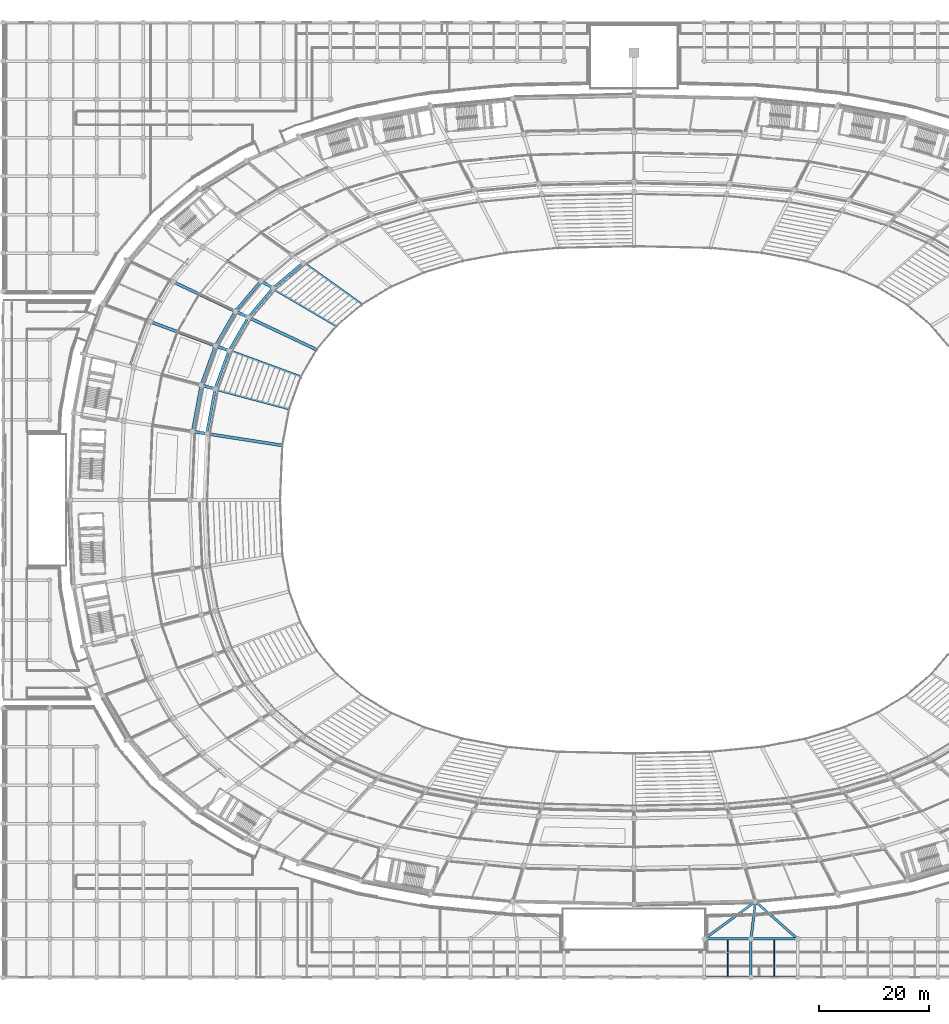
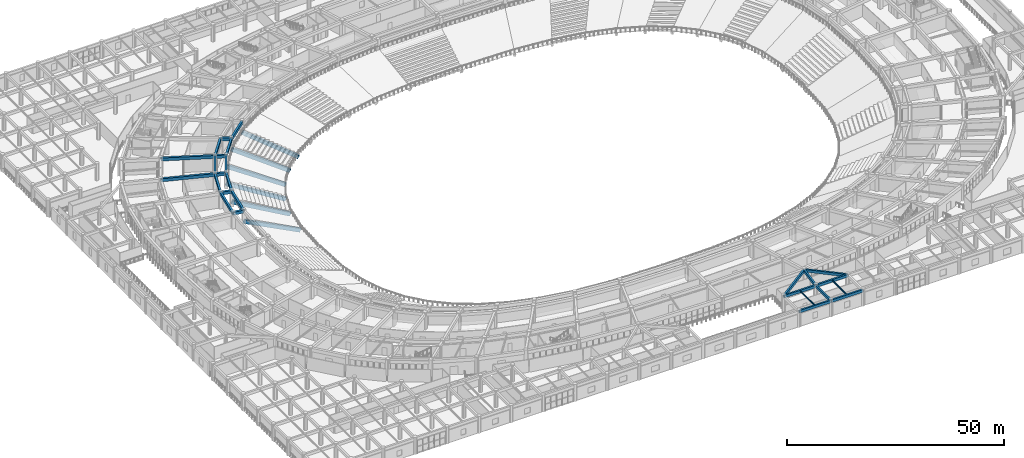
# One storey, part 33 of 152: 32 beams.
"""IFC4 building model written with IfcOpenShell, lengths in metres."""

from ifc_helpers import new_model, si_unit, direction, frame, origin, origin_2d, place, context, subcontext, project, spatial, rectangle, i_section, extrude, material, material_profile, profile_set, type_object, element, save


model = new_model("IFC4")

# Units and contexts
model_context = context("Model", 3, precision=1e-05, world=origin(), true_north=direction((0.0, 1.0)))
body_context = subcontext(model_context, "Body", "Model", "MODEL_VIEW")
ifc_project = project(units=[si_unit("LENGTHUNIT", "METRE"), si_unit("AREAUNIT", "SQUARE_METRE"), si_unit("VOLUMEUNIT", "CUBIC_METRE"), si_unit("PLANEANGLEUNIT", "RADIAN"), si_unit("MASSUNIT", "GRAM", prefix="KILO")], contexts=[model_context])

# Site, building, storey
site_placement = place(None, origin())
site = spatial("IfcSite", under=ifc_project, at=site_placement, CompositionType="ELEMENT")
building_placement = place(site_placement, origin())
building = spatial("IfcBuilding", under=site, at=building_placement, Name="Mphavela Belvedere Stadium", CompositionType="ELEMENT")
storey_placement = place(building_placement, frame((0.0, 0.0, 5.39990234375)))
storey = spatial("IfcBuildingStorey", under=building, at=storey_placement, Name="L01", CompositionType="ELEMENT", Elevation=5.39990234375)

# Beams
ifc_material_1 = material(Name="Steel S355", Category="steel")
ifc_material_profile_1 = material_profile(ifc_material_1, i_section(OverallWidth=0.169921875, OverallDepth=0.360107421875, WebThickness=0.008056640625, FlangeThickness=0.0126953125, at=origin_2d()), Name="IPE 360")
ifc_profile_set_1 = profile_set([ifc_material_profile_1], Name="Steel S355")
beam_type_1 = type_object("IfcBeamType", Name="BM-JOIST-IPE360", PredefinedType="JOIST", material=ifc_profile_set_1)
for number, where, z_axis, x_axis, name in (
    (1, (132.037109375, 0.22509765625, 4.360107421875), (0.0, 1.0, 0.0), (-1.0, 0.0, 0.0), "South Axial Triumphal Peristyle Portico secondary joist L01 16-1"),
    (2, (140.555419921875, 0.22509765625, 4.360107421875), (0.0, 1.0, 0.0), (-1.0, 0.0, 0.0), "South Axial Triumphal Peristyle Portico secondary joist L01 17-1"),
):
    element("IfcBeam", number, at=place(storey_placement, frame(where, z_axis=z_axis, x_axis=x_axis)), inside=storey, type_object=beam_type_1, Name=name, PredefinedType="JOIST", context=body_context, shape_type="SweptSolid", body=[
        extrude(i_section(OverallWidth=0.169921875, OverallDepth=0.360107421875, WebThickness=0.008056640625, FlangeThickness=0.0126953125, at=origin_2d()), origin(), (0.0, 0.0, 1.0), 6.5498046875),
    ])
ifc_material_2 = material(Name="Precast concrete C45/55", Category="concrete")
ifc_material_profile_2 = material_profile(ifc_material_2, rectangle(XDim=0.550048828125, YDim=1.0, at=origin_2d()), Name="PC 550x1000")
ifc_profile_set_2 = profile_set([ifc_material_profile_2], Name="Precast concrete C45/55")
beam_type_2 = type_object("IfcBeamType", Name="BM-RAKER-LOWER", PredefinedType="USERDEFINED", material=ifc_profile_set_2)
beam_1_placement = place(storey_placement, frame((65.341064453125, 122.580322265625, -4.75), z_axis=(-0.739407193346, 0.529785363915, 0.415456941944), x_axis=(-0.582429509779, -0.812881212809, 0.0)))
element("IfcBeam", 3, at=beam_1_placement, inside=storey, type_object=beam_type_2, Name="Lower tier precast raker beam RK-L-19", ObjectType="RAKER BEAM", PredefinedType="USERDEFINED", context=body_context, shape_type="SweptSolid", body=[
    extrude(rectangle(XDim=0.550048828125, YDim=1.0, at=origin_2d()), origin(), (0.0, 0.0, 1.0), 14.44189453125),
])
beam_2_placement = place(storey_placement, frame((60.8349609375, 118.77783203125, -4.75), z_axis=(-0.788215016964, 0.462441064912, 0.406036141882), x_axis=(-0.506032185793, -0.862514595205, 0.0)))
element("IfcBeam", 4, at=beam_2_placement, inside=storey, type_object=beam_type_2, Name="Lower tier precast raker beam RK-L-20", ObjectType="RAKER BEAM", PredefinedType="USERDEFINED", context=body_context, shape_type="SweptSolid", body=[
    extrude(rectangle(XDim=0.550048828125, YDim=1.0, at=origin_2d()), origin(), (0.0, 0.0, 1.0), 14.777099609375),
])
beam_3_placement = place(storey_placement, frame((57.130859375, 114.391357421875, -4.75), z_axis=(-0.828590512448, 0.392202760512, 0.399518156443), x_axis=(-0.427830199745, -0.903859126295, 0.0)))
element("IfcBeam", 5, at=beam_3_placement, inside=storey, type_object=beam_type_2, Name="Lower tier precast raker beam RK-L-21", ObjectType="RAKER BEAM", PredefinedType="USERDEFINED", context=body_context, shape_type="SweptSolid", body=[
    extrude(rectangle(XDim=0.550048828125, YDim=1.0, at=origin_2d()), origin(), (0.0, 0.0, 1.0), 15.01806640625),
])
beam_4_placement = place(storey_placement, frame((54.236572265625, 109.385498046875, -4.75), z_axis=(-0.861755277164, 0.317474379668, 0.395711840276), x_axis=(-0.345691546471, -0.938348205464, 0.0)))
element("IfcBeam", 6, at=beam_4_placement, inside=storey, type_object=beam_type_2, Name="Lower tier precast raker beam RK-L-22", ObjectType="RAKER BEAM", PredefinedType="USERDEFINED", context=body_context, shape_type="SweptSolid", body=[
    extrude(rectangle(XDim=0.550048828125, YDim=1.0, at=origin_2d()), origin(), (0.0, 0.0, 1.0), 15.16259765625),
])
beam_5_placement = place(storey_placement, frame((52.160888671875, 103.664306640625, -4.75), z_axis=(-0.888238697021, 0.235540206623, 0.394401861277), x_axis=(-0.256317824851, -0.966592557732, 0.0)))
element("IfcBeam", 7, at=beam_5_placement, inside=storey, type_object=beam_type_2, Name="Lower tier precast raker beam RK-L-23", ObjectType="RAKER BEAM", PredefinedType="USERDEFINED", context=body_context, shape_type="SweptSolid", body=[
    extrude(rectangle(XDim=0.550048828125, YDim=1.0, at=origin_2d()), origin(), (0.0, 0.0, 1.0), 15.212890625),
])
beam_6_placement = place(storey_placement, frame((50.911865234375, 96.9404296875, -4.75), z_axis=(-0.907737180871, 0.140804754034, 0.395205303236), x_axis=(-0.153283098913, -0.988182316978, 0.0)))
element("IfcBeam", 8, at=beam_6_placement, inside=storey, type_object=beam_type_2, Name="Lower tier precast raker beam RK-L-24", ObjectType="RAKER BEAM", PredefinedType="USERDEFINED", context=body_context, shape_type="SweptSolid", body=[
    extrude(rectangle(XDim=0.550048828125, YDim=1.0, at=origin_2d()), origin(), (0.0, 0.0, 1.0), 15.181884765625),
])
ifc_material_3 = material(Name="Concrete C40/50", Category="concrete")
ifc_material_profile_3 = material_profile(ifc_material_3, rectangle(XDim=0.449951171875, YDim=0.75, at=origin_2d()), Name="RC 450x750")
ifc_profile_set_3 = profile_set([ifc_material_profile_3], Name="Concrete C40/50")
beam_type_3 = type_object("IfcBeamType", Name="BM-RC450x750", PredefinedType="BEAM", material=ifc_profile_set_3)
for number, where, z_axis, x_axis, name in (
    (9, (127.778076171875, 0.0, 4.1650390625), (1.0, 0.0, 0.0), (0.0, 1.0, 0.0), "South Axial Triumphal Peristyle Portico entablature beam X L01 16-1"),
    (10, (127.778076171875, 7.0, 4.1650390625), (1.0, 0.0, 0.0), (0.0, 1.0, 0.0), "South Axial Triumphal Peristyle Portico entablature beam X L01 16-2"),
):
    element("IfcBeam", number, at=place(storey_placement, frame(where, z_axis=z_axis, x_axis=x_axis)), inside=storey, type_object=beam_type_3, Name=name, PredefinedType="BEAM", context=body_context, shape_type="SweptSolid", body=[
        extrude(rectangle(XDim=0.449951171875, YDim=0.75, at=origin_2d()), origin(), (0.0, 0.0, 1.0), 8.517822265625),
    ])
beam_7_placement = place(storey_placement, frame((136.2958984375, 0.0, 4.1650390625), z_axis=(1.0, 0.0, 0.0), x_axis=(0.0, 1.0, 0.0)))
element("IfcBeam", 11, at=beam_7_placement, inside=storey, type_object=beam_type_3, Name="South Axial Triumphal Peristyle Portico entablature beam X L01 17-1", PredefinedType="BEAM", context=body_context, shape_type="SweptSolid", body=[
    extrude(rectangle(XDim=0.449951171875, YDim=0.75, at=origin_2d()), origin(), (0.0, 0.0, 1.0), 8.51904296875),
])
beam_8_placement = place(storey_placement, frame((136.2958984375, 0.0, 4.1650390625), z_axis=(0.0, 1.0, 0.0), x_axis=(-1.0, 0.0, 0.0)))
element("IfcBeam", 12, at=beam_8_placement, inside=storey, type_object=beam_type_3, Name="South Axial Triumphal Peristyle Portico entablature beam Y L01 17-1", PredefinedType="BEAM", context=body_context, shape_type="SweptSolid", body=[
    extrude(rectangle(XDim=0.449951171875, YDim=0.75, at=origin_2d()), origin(), (0.0, 0.0, 1.0), 7.0),
])
beam_9_placement = place(storey_placement, frame((136.2958984375, 7.0, 4.1650390625), z_axis=(1.0, 0.0, 0.0), x_axis=(0.0, 1.0, 0.0)))
element("IfcBeam", 13, at=beam_9_placement, inside=storey, type_object=beam_type_3, Name="South Axial Triumphal Peristyle Portico entablature beam X L01 17-2", PredefinedType="BEAM", context=body_context, shape_type="SweptSolid", body=[
    extrude(rectangle(XDim=0.449951171875, YDim=0.75, at=origin_2d()), origin(), (0.0, 0.0, 1.0), 8.51904296875),
])
beam_10_placement = place(storey_placement, frame((127.778076171875, 7.0, 4.1650390625), z_axis=(0.808075844415, 0.589078457994, 0.0), x_axis=(-0.589078457994, 0.808075844415, 0.0)))
element("IfcBeam", 14, at=beam_10_placement, inside=storey, type_object=beam_type_3, Name="South Axial Triumphal Peristyle Portico bowl link girder L01-2", PredefinedType="BEAM", context=body_context, shape_type="SweptSolid", body=[
    extrude(rectangle(XDim=0.449951171875, YDim=0.75, at=origin_2d()), origin(), (0.0, 0.0, 1.0), 11.553955078125),
])
beam_11_placement = place(storey_placement, frame((136.2958984375, 7.0, 4.1650390625), z_axis=(0.119413444072, 0.99284461492, 0.0), x_axis=(-0.99284461492, 0.119413444072, 0.0)))
element("IfcBeam", 15, at=beam_11_placement, inside=storey, type_object=beam_type_3, Name="South Axial Triumphal Peristyle Portico bowl link girder L01-4", PredefinedType="BEAM", context=body_context, shape_type="SweptSolid", body=[
    extrude(rectangle(XDim=0.449951171875, YDim=0.75, at=origin_2d()), origin(), (0.0, 0.0, 1.0), 6.855224609375),
])
beam_12_placement = place(storey_placement, frame((144.81494140625, 7.0, 4.1650390625), z_axis=(-0.749275353375, 0.662258593621, 0.0), x_axis=(-0.662258593621, -0.749275353375, 0.0)))
element("IfcBeam", 16, at=beam_12_placement, inside=storey, type_object=beam_type_3, Name="South Axial Triumphal Peristyle Portico bowl link girder L01-6", PredefinedType="BEAM", context=body_context, shape_type="SweptSolid", body=[
    extrude(rectangle(XDim=0.449951171875, YDim=0.75, at=origin_2d()), origin(), (0.0, 0.0, 1.0), 10.277099609375),
])
ifc_material_4 = material(Name="Concrete C40/50", Category="concrete")
ifc_material_profile_4 = material_profile(ifc_material_4, rectangle(XDim=0.5, YDim=0.800048828125, at=origin_2d()), Name="RC 500x800")
ifc_profile_set_4 = profile_set([ifc_material_profile_4], Name="Concrete C40/50")
beam_type_4 = type_object("IfcBeamType", Name="BM-RC500x800", PredefinedType="BEAM", material=ifc_profile_set_4)
beam_13_placement = place(storey_placement, frame((54.66259765625, 130.2314453125, 4.150146484375), z_axis=(-0.76425683958, -0.644911996442, 0.0), x_axis=(0.644911996442, -0.76425683958, 0.0)))
element("IfcBeam", 17, at=beam_13_placement, inside=storey, type_object=beam_type_4, Name="Circumferential girder L01 R1-19", PredefinedType="BEAM", context=body_context, shape_type="SweptSolid", body=[
    extrude(rectangle(XDim=0.5, YDim=0.800048828125, at=origin_2d()), origin(), (0.0, 0.0, 1.0), 7.1640625),
])
beam_14_placement = place(storey_placement, frame((49.1875, 125.611328125, 4.150146484375), z_axis=(-0.645159025586, -0.764048317651, 0.0), x_axis=(0.764048317651, -0.645159025586, 0.0)))
element("IfcBeam", 18, at=beam_14_placement, inside=storey, type_object=beam_type_4, Name="Circumferential girder L01 R1-20", PredefinedType="BEAM", context=body_context, shape_type="SweptSolid", body=[
    extrude(rectangle(XDim=0.5, YDim=0.800048828125, at=origin_2d()), origin(), (0.0, 0.0, 1.0), 6.975830078125),
])
beam_15_placement = place(storey_placement, frame((46.98828125, 126.901611328125, 4.150146484375), z_axis=(-0.645167637984, -0.764041045297, 0.0), x_axis=(0.764041045297, -0.645167637984, 0.0)))
element("IfcBeam", 19, at=beam_15_placement, inside=storey, type_object=beam_type_4, Name="Circumferential girder L01 R2-20", PredefinedType="BEAM", context=body_context, shape_type="SweptSolid", body=[
    extrude(rectangle(XDim=0.5, YDim=0.800048828125, at=origin_2d()), origin(), (0.0, 0.0, 1.0), 7.208740234375),
])
beam_16_placement = place(storey_placement, frame((44.68701171875, 120.281494140625, 4.150146484375), z_axis=(-0.500559513075, -0.86570212768, 0.0), x_axis=(0.86570212768, -0.500559513075, 0.0)))
element("IfcBeam", 20, at=beam_16_placement, inside=storey, type_object=beam_type_4, Name="Circumferential girder L01 R1-21", PredefinedType="BEAM", context=body_context, shape_type="SweptSolid", body=[
    extrude(rectangle(XDim=0.5, YDim=0.800048828125, at=origin_2d()), origin(), (0.0, 0.0, 1.0), 7.02587890625),
])
beam_17_placement = place(storey_placement, frame((42.33740234375, 121.393798828125, 4.150146484375), z_axis=(-0.500568314135, -0.86569703874, 0.0), x_axis=(0.86569703874, -0.500568314135, 0.0)))
element("IfcBeam", 21, at=beam_17_placement, inside=storey, type_object=beam_type_4, Name="Circumferential girder L01 R2-21", PredefinedType="BEAM", context=body_context, shape_type="SweptSolid", body=[
    extrude(rectangle(XDim=0.5, YDim=0.800048828125, at=origin_2d()), origin(), (0.0, 0.0, 1.0), 7.2607421875),
])
beam_18_placement = place(storey_placement, frame((41.170166015625, 114.19921875, 4.150146484375), z_axis=(-0.341037858277, -0.940049562109, 0.0), x_axis=(0.940049562109, -0.341037858277, 0.0)))
element("IfcBeam", 22, at=beam_18_placement, inside=storey, type_object=beam_type_4, Name="Circumferential girder L01 R1-22", PredefinedType="BEAM", context=body_context, shape_type="SweptSolid", body=[
    extrude(rectangle(XDim=0.5, YDim=0.800048828125, at=origin_2d()), origin(), (0.0, 0.0, 1.0), 7.39501953125),
])
beam_19_placement = place(storey_placement, frame((38.702880859375, 115.108154296875, 4.150146484375), z_axis=(-0.341037560831, -0.940049670019, 0.0), x_axis=(0.940049670019, -0.341037560831, 0.0)))
element("IfcBeam", 23, at=beam_19_placement, inside=storey, type_object=beam_type_4, Name="Circumferential girder L01 R2-22", PredefinedType="BEAM", context=body_context, shape_type="SweptSolid", body=[
    extrude(rectangle(XDim=0.5, YDim=0.800048828125, at=origin_2d()), origin(), (0.0, 0.0, 1.0), 7.64208984375),
])
beam_20_placement = place(storey_placement, frame((38.648193359375, 107.24755859375, 4.150146484375), z_axis=(-0.182638448973, -0.983180144712, 0.0), x_axis=(0.983180144712, -0.182638448973, 0.0)))
element("IfcBeam", 24, at=beam_20_placement, inside=storey, type_object=beam_type_4, Name="Circumferential girder L01 R1-23", PredefinedType="BEAM", context=body_context, shape_type="SweptSolid", body=[
    extrude(rectangle(XDim=0.5, YDim=0.800048828125, at=origin_2d()), origin(), (0.0, 0.0, 1.0), 8.30908203125),
])
beam_21_placement = place(storey_placement, frame((36.0966796875, 107.92431640625, 4.150146484375), z_axis=(-0.182614573179, -0.983184579651, 0.0), x_axis=(0.983184579651, -0.182614573179, 0.0)))
element("IfcBeam", 25, at=beam_21_placement, inside=storey, type_object=beam_type_4, Name="Circumferential girder L01 R2-23", PredefinedType="BEAM", context=body_context, shape_type="SweptSolid", body=[
    extrude(rectangle(XDim=0.5, YDim=0.800048828125, at=origin_2d()), origin(), (0.0, 0.0, 1.0), 8.5869140625),
])
ifc_material_5 = material(Name="Concrete C40/50", Category="concrete")
ifc_material_profile_5 = material_profile(ifc_material_5, rectangle(XDim=0.550048828125, YDim=0.85009765625, at=origin_2d()), Name="RC 550x850")
ifc_profile_set_5 = profile_set([ifc_material_profile_5], Name="Concrete C40/50")
beam_type_5 = type_object("IfcBeamType", Name="BM-RC550x850", PredefinedType="BEAM", material=ifc_profile_set_5)
beam_22_placement = place(storey_placement, frame((49.1875, 125.611328125, 4.125), z_axis=(-0.862512089915, 0.50603645595, 0.0), x_axis=(-0.50603645595, -0.862512089915, 0.0)))
element("IfcBeam", 26, at=beam_22_placement, inside=storey, type_object=beam_type_5, Name="Radial concourse girder L01 R1R2-20", PredefinedType="BEAM", context=body_context, shape_type="SweptSolid", body=[
    extrude(rectangle(XDim=0.550048828125, YDim=0.85009765625, at=origin_2d()), origin(), (0.0, 0.0, 1.0), 2.5498046875),
])
beam_23_placement = place(storey_placement, frame((44.68701171875, 120.281494140625, 4.125), z_axis=(-0.903837253846, 0.427876405707, 0.0), x_axis=(-0.427876405707, -0.903837253846, 0.0)))
element("IfcBeam", 27, at=beam_23_placement, inside=storey, type_object=beam_type_5, Name="Radial concourse girder L01 R1R2-21", PredefinedType="BEAM", context=body_context, shape_type="SweptSolid", body=[
    extrude(rectangle(XDim=0.550048828125, YDim=0.85009765625, at=origin_2d()), origin(), (0.0, 0.0, 1.0), 2.599609375),
])
beam_24_placement = place(storey_placement, frame((42.33740234375, 121.393798828125, 4.125), z_axis=(-0.903870454162, 0.427806267009, 0.0), x_axis=(-0.427806267009, -0.903870454162, 0.0)))
element("IfcBeam", 28, at=beam_24_placement, inside=storey, type_object=beam_type_5, Name="Radial concourse girder L01 R2R3-21", PredefinedType="BEAM", context=body_context, shape_type="SweptSolid", body=[
    extrude(rectangle(XDim=0.550048828125, YDim=0.85009765625, at=origin_2d()), origin(), (0.0, 0.0, 1.0), 12.51611328125),
])
beam_25_placement = place(storey_placement, frame((41.170166015625, 114.19921875, 4.125), z_axis=(-0.938351042866, 0.345683844507, 0.0), x_axis=(-0.345683844507, -0.938351042866, 0.0)))
element("IfcBeam", 29, at=beam_25_placement, inside=storey, type_object=beam_type_5, Name="Radial concourse girder L01 R1R2-22", PredefinedType="BEAM", context=body_context, shape_type="SweptSolid", body=[
    extrude(rectangle(XDim=0.550048828125, YDim=0.85009765625, at=origin_2d()), origin(), (0.0, 0.0, 1.0), 2.62939453125),
])
beam_26_placement = place(storey_placement, frame((38.702880859375, 115.108154296875, 4.125), z_axis=(-0.938344104636, 0.345702677593, 0.0), x_axis=(-0.345702677593, -0.938344104636, 0.0)))
element("IfcBeam", 30, at=beam_26_placement, inside=storey, type_object=beam_type_5, Name="Radial concourse girder L01 R2R3-22", PredefinedType="BEAM", context=body_context, shape_type="SweptSolid", body=[
    extrude(rectangle(XDim=0.550048828125, YDim=0.85009765625, at=origin_2d()), origin(), (0.0, 0.0, 1.0), 12.658935546875),
])
beam_27_placement = place(storey_placement, frame((38.648193359375, 107.24755859375, 4.125), z_axis=(-0.966577929986, 0.25637298076, 0.0), x_axis=(-0.25637298076, -0.966577929986, 0.0)))
element("IfcBeam", 31, at=beam_27_placement, inside=storey, type_object=beam_type_5, Name="Radial concourse girder L01 R1R2-23", PredefinedType="BEAM", context=body_context, shape_type="SweptSolid", body=[
    extrude(rectangle(XDim=0.550048828125, YDim=0.85009765625, at=origin_2d()), origin(), (0.0, 0.0, 1.0), 2.6396484375),
])
beam_28_placement = place(storey_placement, frame((37.130615234375, 99.078125, 4.125), z_axis=(-0.988185527241, 0.153262401626, 0.0), x_axis=(-0.153262401626, -0.988185527241, 0.0)))
element("IfcBeam", 32, at=beam_28_placement, inside=storey, type_object=beam_type_5, Name="Radial concourse girder L01 R1R2-24", PredefinedType="BEAM", context=body_context, shape_type="SweptSolid", body=[
    extrude(rectangle(XDim=0.550048828125, YDim=0.85009765625, at=origin_2d()), origin(), (0.0, 0.0, 1.0), 2.633056640625),
])

save(model, "model.ifc")
